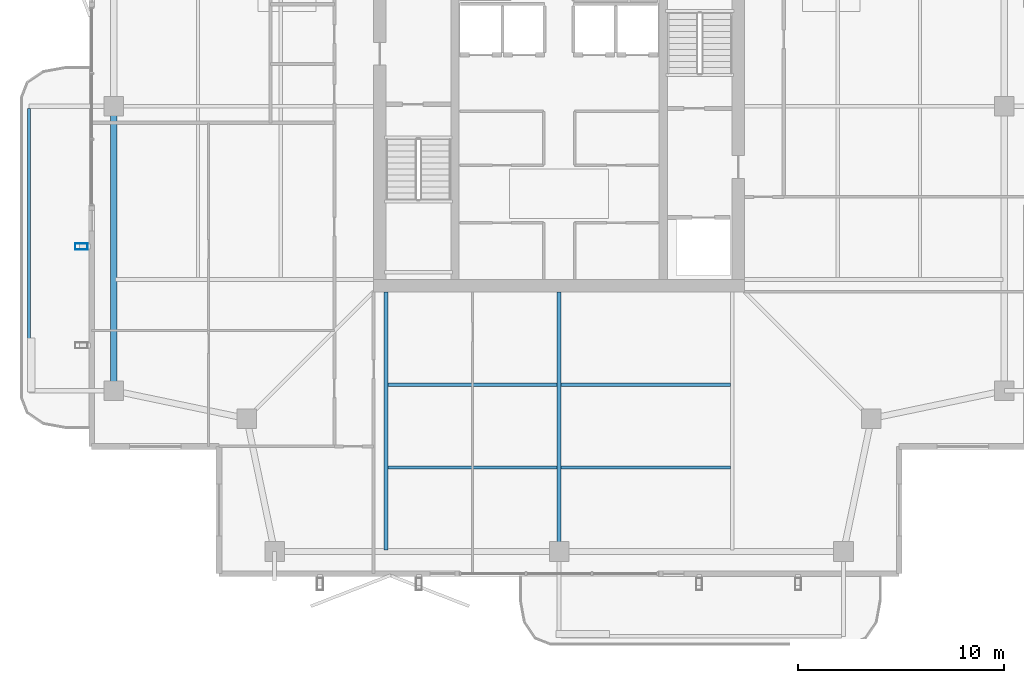
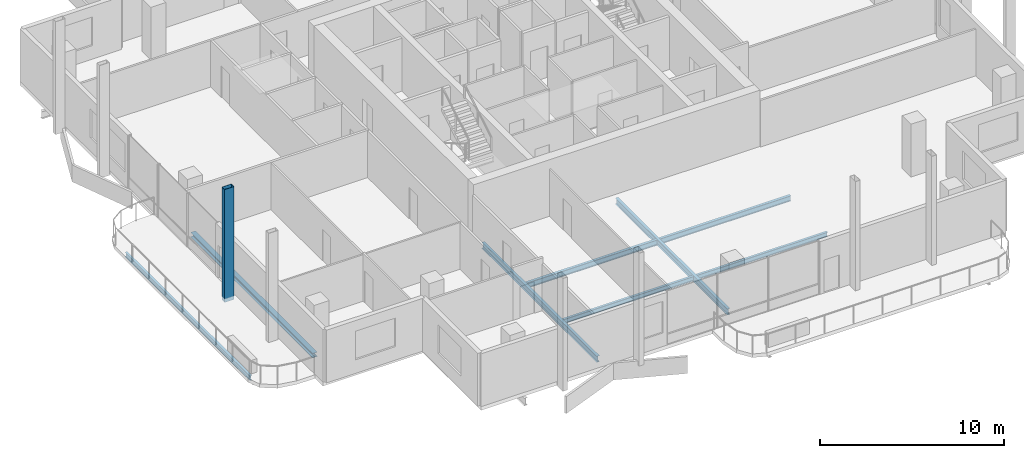
# One storey, part 5 of 20: 8 beams, 1 member.
"""IFC4 building model written with IfcOpenShell, lengths in metres."""

from ifc_helpers import new_model, si_unit, direction, frame, origin, origin_2d, place, context, subcontext, project, spatial, hollow_rectangle, i_section, extrude, material, material_profile, profile_set, type_object, element, save


model = new_model("IFC4")

# Units and contexts
model_context = context("Model", 3, precision=1e-05, world=origin(), true_north=direction((0.0, 1.0)))
body_context = subcontext(model_context, "Body", "Model", "MODEL_VIEW")
ifc_project = project(units=[si_unit("LENGTHUNIT", "METRE"), si_unit("AREAUNIT", "SQUARE_METRE"), si_unit("VOLUMEUNIT", "CUBIC_METRE"), si_unit("PLANEANGLEUNIT", "RADIAN"), si_unit("MASSUNIT", "GRAM", prefix="KILO")], contexts=[model_context])

# Site, building, storey
site_placement = place(None, origin())
site = spatial("IfcSite", under=ifc_project, at=site_placement, CompositionType="ELEMENT")
building_placement = place(site_placement, origin())
building = spatial("IfcBuilding", under=site, at=building_placement, Name="Belovzor Exchange Tower", CompositionType="ELEMENT")
storey_placement = place(building_placement, frame((0.0, 0.0, 299.25)))
storey = spatial("IfcBuildingStorey", under=building, at=storey_placement, Name="L74", CompositionType="ELEMENT", Elevation=299.25)

# Beams
ifc_material_1 = material(Name="Steel S355", Category="steel")
ifc_material_profile_1 = material_profile(ifc_material_1, i_section(OverallWidth=0.14990234375, OverallDepth=0.300048828125, WebThickness=0.007080078125, FlangeThickness=0.0107421875, at=origin_2d()))
ifc_profile_set_1 = profile_set([ifc_material_profile_1], Name="Steel S355")
beam_type_1 = type_object("IfcBeamType", Name="Planted Balcony Fascia Edge Beam IPE 300", PredefinedType="BEAM", material=ifc_profile_set_1)
beam_1_placement = place(storey_placement, frame((3.089111328125, 28.699951171875, -0.389892578125), z_axis=(0.0, -1.0, 0.0), x_axis=(1.0, 0.0, 0.0)))
element("IfcBeam", 1, at=beam_1_placement, inside=storey, type_object=beam_type_1, Name="BC-300 Planted Balcony Fascia Edge Beam IPE 300", PredefinedType="BEAM", context=body_context, shape_type="SweptSolid", body=[
    extrude(i_section(OverallWidth=0.14990234375, OverallDepth=0.300048828125, WebThickness=0.007080078125, FlangeThickness=0.0107421875, at=origin_2d()), origin(), (0.0, 0.0, 1.0), 13.599853515625),
])
ifc_material_2 = material(Name="Steel S355", Category="steel")
ifc_material_profile_2 = material_profile(ifc_material_2, i_section(OverallWidth=0.169921875, OverallDepth=0.360107421875, WebThickness=0.008056640625, FlangeThickness=0.0126953125, at=origin_2d()))
ifc_profile_set_2 = profile_set([ifc_material_profile_2], Name="Steel S355")
beam_type_2 = type_object("IfcBeamType", Name="Secondary Infill Floor Joist IPE 360", PredefinedType="BEAM", material=ifc_profile_set_2)
beam_2_placement = place(storey_placement, frame((20.489990234375, 15.291015625, -0.419921875), z_axis=(1.0, 0.0, 0.0), x_axis=(0.0, 1.0, 0.0)))
element("IfcBeam", 2, at=beam_2_placement, inside=storey, type_object=beam_type_2, Name="FJ-360 Secondary Infill Floor Joist IPE 360", PredefinedType="BEAM", context=body_context, shape_type="SweptSolid", body=[
    extrude(i_section(OverallWidth=0.169921875, OverallDepth=0.360107421875, WebThickness=0.008056640625, FlangeThickness=0.0126953125, at=origin_2d()), origin(), (0.0, 0.0, 1.0), 8.219970703125),
])
beam_3_placement = place(storey_placement, frame((28.889892578125, 15.291015625, -0.419921875), z_axis=(1.0, 0.0, 0.0), x_axis=(0.0, 1.0, 0.0)))
element("IfcBeam", 3, at=beam_3_placement, inside=storey, type_object=beam_type_2, Name="FJ-360 Secondary Infill Floor Joist IPE 360", PredefinedType="BEAM", context=body_context, shape_type="SweptSolid", body=[
    extrude(i_section(OverallWidth=0.169921875, OverallDepth=0.360107421875, WebThickness=0.008056640625, FlangeThickness=0.0126953125, at=origin_2d()), origin(), (0.0, 0.0, 1.0), 8.22021484375),
])
ifc_material_3 = material(Name="Steel S355", Category="steel")
ifc_material_profile_3 = material_profile(ifc_material_3, i_section(OverallWidth=0.14990234375, OverallDepth=0.300048828125, WebThickness=0.007080078125, FlangeThickness=0.0107421875, at=origin_2d()))
ifc_profile_set_3 = profile_set([ifc_material_profile_3], Name="Steel S355")
beam_type_3 = type_object("IfcBeamType", Name="Secondary Trim Floor Joist IPE 300", PredefinedType="BEAM", material=ifc_profile_set_3)
beam_4_placement = place(storey_placement, frame((20.489990234375, 11.282958984375, -0.389892578125), z_axis=(1.0, 0.0, 0.0), x_axis=(0.0, 1.0, 0.0)))
element("IfcBeam", 4, at=beam_4_placement, inside=storey, type_object=beam_type_3, Name="FJ-300 Secondary Trim Floor Joist IPE 300", PredefinedType="BEAM", context=body_context, shape_type="SweptSolid", body=[
    extrude(i_section(OverallWidth=0.14990234375, OverallDepth=0.300048828125, WebThickness=0.007080078125, FlangeThickness=0.0107421875, at=origin_2d()), origin(), (0.0, 0.0, 1.0), 8.219970703125),
])
beam_5_placement = place(storey_placement, frame((28.889892578125, 11.282958984375, -0.389892578125), z_axis=(1.0, 0.0, 0.0), x_axis=(0.0, 1.0, 0.0)))
element("IfcBeam", 5, at=beam_5_placement, inside=storey, type_object=beam_type_3, Name="FJ-300 Secondary Trim Floor Joist IPE 300", PredefinedType="BEAM", context=body_context, shape_type="SweptSolid", body=[
    extrude(i_section(OverallWidth=0.14990234375, OverallDepth=0.300048828125, WebThickness=0.007080078125, FlangeThickness=0.0107421875, at=origin_2d()), origin(), (0.0, 0.0, 1.0), 8.22021484375),
])

# Member
ifc_material_4 = material(Name="Extruded Architectural Terracotta on Steel S355 Carrier", Category="masonry")
ifc_material_profile_4 = material_profile(ifc_material_4, hollow_rectangle(XDim=0.300048828125, YDim=0.60009765625, WallThickness=0.01611328125, at=origin_2d()))
ifc_profile_set_4 = profile_set([ifc_material_profile_4], Name="Extruded Architectural Terracotta on Steel S355 Carrier")
member_type = type_object("IfcMemberType", Name="Upper Crown Terracotta Fin Assembly 550", PredefinedType="USERDEFINED", material=ifc_profile_set_4)
member_placement = place(storey_placement, frame((5.625, 22.0, -0.239990234375), z_axis=(0.0, 0.0, 1.0), x_axis=(0.0, 1.0, 0.0)))
element("IfcMember", 6, at=member_placement, inside=storey, type_object=member_type, Name="FIN-TC055 Terracotta Facade Fin L74 W2", ObjectType="FIN", PredefinedType="USERDEFINED", context=body_context, shape_type="SweptSolid", body=[
    extrude(hollow_rectangle(XDim=0.300048828125, YDim=0.60009765625, WallThickness=0.01611328125, at=origin_2d()), origin(), (0.0, 0.0, 1.0), 7.5),
])

# Beams
ifc_material_5 = material(Name="Steel S355", Category="steel")
ifc_material_profile_5 = material_profile(ifc_material_5, i_section(OverallWidth=0.179931640625, OverallDepth=0.39990234375, WebThickness=0.008544921875, FlangeThickness=0.013427734375, at=origin_2d()))
ifc_profile_set_5 = profile_set([ifc_material_profile_5], Name="Steel S355")
beam_type_4 = type_object("IfcBeamType", Name="Zone 5-6 Radial Composite Floor Beam IPE 400", PredefinedType="BEAM", material=ifc_profile_set_5)
beam_6_placement = place(storey_placement, frame((20.39990234375, 19.800048828125, -0.43994140625), z_axis=(0.0, -1.0, 0.0), x_axis=(1.0, 0.0, 0.0)))
element("IfcBeam", 7, at=beam_6_placement, inside=storey, type_object=beam_type_4, Name="FB-400 Zone 5-6 Radial Composite Floor Beam IPE 400", PredefinedType="BEAM", context=body_context, shape_type="SweptSolid", body=[
    extrude(i_section(OverallWidth=0.179931640625, OverallDepth=0.39990234375, WebThickness=0.008544921875, FlangeThickness=0.013427734375, at=origin_2d()), origin(), (0.0, 0.0, 1.0), 12.525146484375),
])
beam_7_placement = place(storey_placement, frame((28.800048828125, 19.800048828125, -0.43994140625), z_axis=(0.0, -1.0, 0.0), x_axis=(1.0, 0.0, 0.0)))
element("IfcBeam", 8, at=beam_7_placement, inside=storey, type_object=beam_type_4, Name="FB-400 Zone 5-6 Radial Composite Floor Beam IPE 400", PredefinedType="BEAM", context=body_context, shape_type="SweptSolid", body=[
    extrude(i_section(OverallWidth=0.179931640625, OverallDepth=0.39990234375, WebThickness=0.008544921875, FlangeThickness=0.013427734375, at=origin_2d()), origin(), (0.0, 0.0, 1.0), 12.18212890625),
])
ifc_material_6 = material(Name="Steel S355", Category="steel")
ifc_material_profile_6 = material_profile(ifc_material_6, i_section(OverallWidth=0.300048828125, OverallDepth=0.300048828125, WebThickness=0.008544921875, FlangeThickness=0.013916015625, at=origin_2d()))
ifc_profile_set_6 = profile_set([ifc_material_profile_6], Name="Steel S355")
beam_type_5 = type_object("IfcBeamType", Name="Zone 6 Primary Girder HEA 300", PredefinedType="BEAM", material=ifc_profile_set_6)
beam_8_placement = place(storey_placement, frame((7.199951171875, 28.5390625, -0.389892578125), z_axis=(0.0, -1.0, 0.0), x_axis=(1.0, 0.0, 0.0)))
element("IfcBeam", 9, at=beam_8_placement, inside=storey, type_object=beam_type_5, Name="FG-Z6 Zone 6 Primary Girder HEA 300", PredefinedType="BEAM", context=body_context, shape_type="SweptSolid", body=[
    extrude(i_section(OverallWidth=0.300048828125, OverallDepth=0.300048828125, WebThickness=0.008544921875, FlangeThickness=0.013916015625, at=origin_2d()), origin(), (0.0, 0.0, 1.0), 13.278076171875),
])

save(model, "model.ifc")
